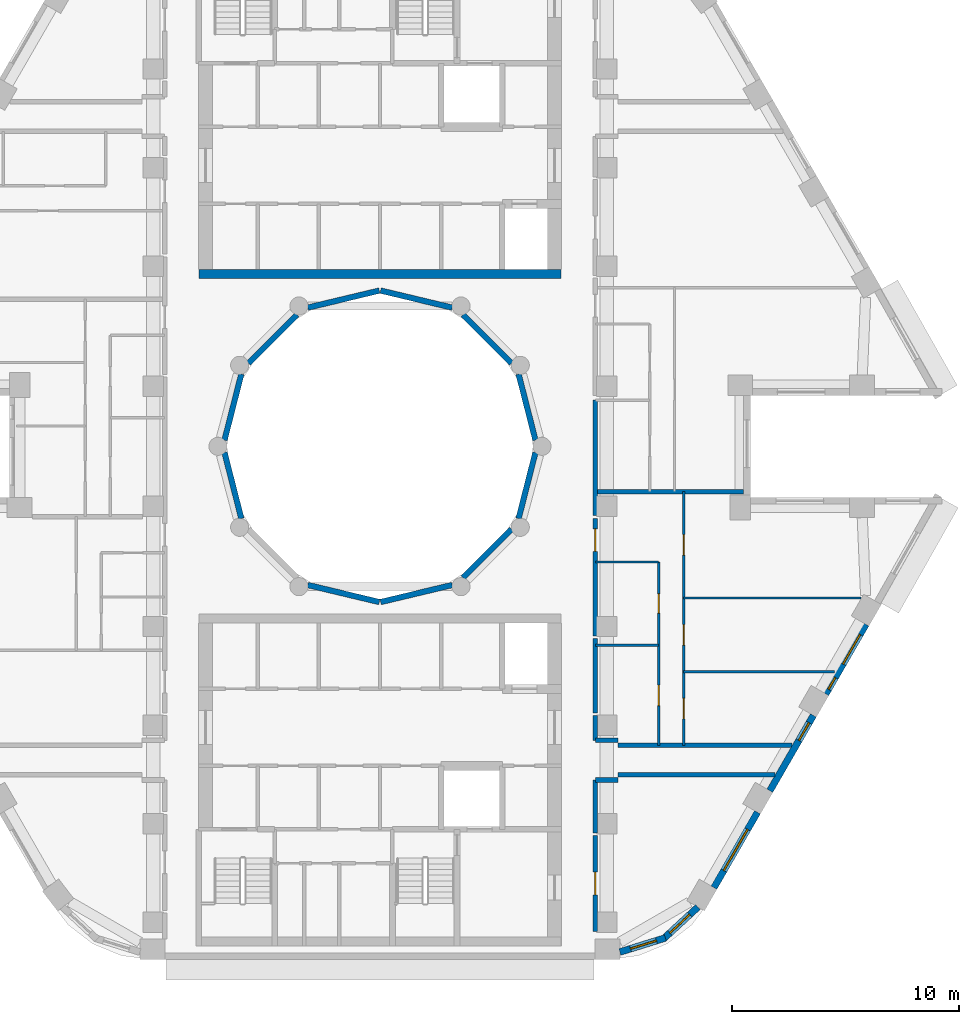
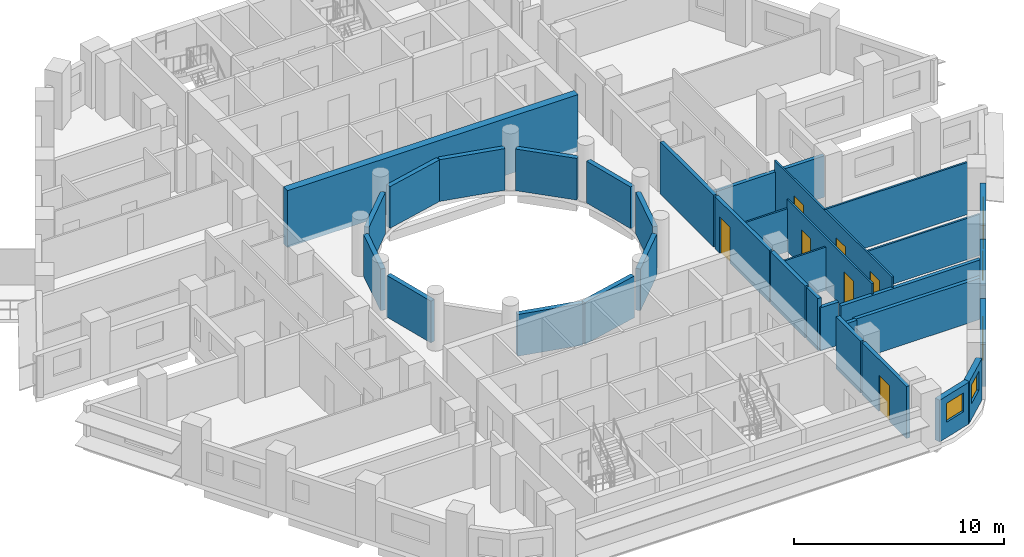
# One storey, part 5 of 13: 34 walls, 7 doors, 6 windows, 13 openings.
"""IFC4 building model written with IfcOpenShell, lengths in metres."""

from ifc_helpers import new_model, si_unit, direction, frame, frame_2d, origin, place, context, subcontext, project, spatial, rectangle, extrude, material, layer, layer_set, type_object, element, fill, save


model = new_model("IFC4")

# Units and contexts
model_context = context("Model", 3, precision=1e-05, world=origin(), true_north=direction((0.0, 1.0)))
body_context = subcontext(model_context, "Body", "Model", "MODEL_VIEW")
ifc_project = project(units=[si_unit("LENGTHUNIT", "METRE"), si_unit("AREAUNIT", "SQUARE_METRE"), si_unit("VOLUMEUNIT", "CUBIC_METRE"), si_unit("PLANEANGLEUNIT", "RADIAN"), si_unit("MASSUNIT", "GRAM", prefix="KILO")], contexts=[model_context])

# Site, building, storey
site_placement = place(None, origin())
site = spatial("IfcSite", under=ifc_project, at=site_placement, CompositionType="ELEMENT")
building_placement = place(site_placement, origin())
building = spatial("IfcBuilding", under=site, at=building_placement, Name="Nakaniwa Court", CompositionType="ELEMENT")
storey_placement = place(building_placement, frame((0.0, 0.0, 246.0)))
storey = spatial("IfcBuildingStorey", under=building, at=storey_placement, Name="L64", CompositionType="ELEMENT", Elevation=246.0)

# Wall, opening, door
ifc_material_1 = material(Name="Acoustic double stud partition")
ifc_layer_1 = layer(ifc_material_1, 0.199951171875)
ifc_layer_set_1 = layer_set([ifc_layer_1], Name="Acoustic double stud partition")
wall_type_1 = type_object("IfcWallType", Name="Acoustic double stud partition 200", PredefinedType="PARTITIONING", material=ifc_layer_set_1)
wall_1_placement = place(storey_placement, frame((89.5, 62.822998046875, 0.0), z_axis=(0.0, 0.0, 1.0), x_axis=(0.0, -1.0, 0.0)))
wall_1 = element("IfcWall", 1, at=wall_1_placement, inside=storey, type_object=wall_type_1, Name="Partition PW-061", PredefinedType="PARTITIONING", context=body_context, shape_type="SweptSolid", body=[
    extrude(rectangle(XDim=4.236083984375, YDim=0.199951171875, at=frame_2d((2.1181640625, 0.0))), origin(), (0.0, 0.0, 1.0), 3.02490234375),
])
opening_1_placement = place(wall_1_placement, frame((1.617919921875, 0.0, 0.0)))
opening_1 = element("IfcOpeningElement", 2, at=opening_1_placement, cuts=wall_1, Name="Opening D-02-01", PredefinedType="OPENING", context=body_context, shape_type="SweptSolid", body=[
    extrude(rectangle(XDim=1.0, YDim=2.10009765625, at=frame_2d((0.5, 1.050048828125))), frame((0.0, 0.10986328125, 0.0), z_axis=(0.0, -1.0, 0.0), x_axis=(1.0, 0.0, 0.0)), (0.0, 0.0, 1.0), 0.219970703125),
])
ifc_material_2 = material(Name="Solid core timber door set, black veneer", Category="wood")
door_type_1 = type_object("IfcDoorType", Name="Internal door 1000", OperationType="NOTDEFINED", PredefinedType="DOOR", material=ifc_material_2)
door_1_placement = place(opening_1_placement, origin())
door_1 = element("IfcDoor", 3, at=door_1_placement, inside=storey, type_object=door_type_1, Name="Door D-02-01 L64-033", OperationType="SINGLE_SWING_RIGHT", OverallHeight=2.10009765625, OverallWidth=1.0, PredefinedType="DOOR", context=body_context, shape_type="SweptSolid", body=[
    extrude(rectangle(XDim=1.0, YDim=2.10009765625, at=frame_2d((0.5, 1.050048828125))), frame((0.0, 0.02490234375, 0.0), z_axis=(0.0, -1.0, 0.0), x_axis=(1.0, 0.0, 0.0)), (0.0, 0.0, 1.0), 0.050048828125),
])
fill(opening_1, door_1)

# Walls
wall_2_placement = place(storey_placement, frame((89.5, 62.93701171875, 0.0), z_axis=(0.0, 0.0, 1.0), x_axis=(0.0, 1.0, 0.0)))
element("IfcWall", 4, at=wall_2_placement, inside=storey, type_object=wall_type_1, Name="Partition PW-062", PredefinedType="PARTITIONING", context=body_context, shape_type="SweptSolid", body=[
    extrude(rectangle(XDim=2.341064453125, YDim=0.199951171875, at=frame_2d((1.17041015625, 0.0))), origin(), (0.0, 0.0, 1.0), 3.02490234375),
])
wall_3_placement = place(storey_placement, frame((89.5, 67.02197265625, 0.0), z_axis=(0.0, 0.0, 1.0), x_axis=(0.0, 1.0, 0.0)))
element("IfcWall", 5, at=wall_3_placement, inside=storey, type_object=wall_type_1, Name="Partition PW-063", PredefinedType="PARTITIONING", context=body_context, shape_type="SweptSolid", body=[
    extrude(rectangle(XDim=1.091064453125, YDim=0.199951171875, at=frame_2d((0.54541015625, 0.0))), origin(), (0.0, 0.0, 1.0), 3.02490234375),
])
wall_4_placement = place(storey_placement, frame((89.5, 68.22705078125, 0.0), z_axis=(0.0, 0.0, 1.0), x_axis=(0.0, 1.0, 0.0)))
element("IfcWall", 6, at=wall_4_placement, inside=storey, type_object=wall_type_1, Name="Partition PW-064", PredefinedType="PARTITIONING", context=body_context, shape_type="SweptSolid", body=[
    extrude(rectangle(XDim=3.2958984375, YDim=0.199951171875, at=frame_2d((1.64794921875, 0.0))), origin(), (0.0, 0.0, 1.0), 3.02490234375),
])

# Wall, opening, door
wall_5_placement = place(storey_placement, frame((89.5, 76.822998046875, 0.0), z_axis=(0.0, 0.0, 1.0), x_axis=(0.0, -1.0, 0.0)))
wall_5 = element("IfcWall", 7, at=wall_5_placement, inside=storey, type_object=wall_type_1, Name="Partition PW-065", PredefinedType="PARTITIONING", context=body_context, shape_type="SweptSolid", body=[
    extrude(rectangle(XDim=5.18603515625, YDim=0.199951171875, at=frame_2d((2.593017578125, 0.0))), origin(), (0.0, 0.0, 1.0), 3.02490234375),
])
opening_2_placement = place(wall_5_placement, frame((0.462890625, 0.0, 0.0)))
opening_2 = element("IfcOpeningElement", 8, at=opening_2_placement, cuts=wall_5, Name="Opening D-01-01", PredefinedType="OPENING", context=body_context, shape_type="SweptSolid", body=[
    extrude(rectangle(XDim=1.0, YDim=2.10009765625, at=frame_2d((0.5, 1.050048828125))), frame((0.0, 0.10986328125, 0.0), z_axis=(0.0, -1.0, 0.0), x_axis=(1.0, 0.0, 0.0)), (0.0, 0.0, 1.0), 0.219970703125),
])
door_type_2 = type_object("IfcDoorType", Name="Flat entrance door 1000", OperationType="NOTDEFINED", PredefinedType="DOOR", material=ifc_material_2)
door_2_placement = place(opening_2_placement, origin())
door_2 = element("IfcDoor", 9, at=door_2_placement, inside=storey, type_object=door_type_2, Name="Door D-01-01 L64-034", OperationType="SINGLE_SWING_LEFT", OverallHeight=2.10009765625, OverallWidth=1.0, PredefinedType="DOOR", context=body_context, shape_type="SweptSolid", body=[
    extrude(rectangle(XDim=1.0, YDim=2.10009765625, at=frame_2d((0.5, 1.050048828125))), frame((0.0, 0.02490234375, 0.0), z_axis=(0.0, -1.0, 0.0), x_axis=(1.0, 0.0, 0.0)), (0.0, 0.0, 1.0), 0.050048828125),
])
fill(opening_2, door_2)

# Walls
wall_6_placement = place(storey_placement, frame((89.5, 76.93701171875, 0.0), z_axis=(0.0, 0.0, 1.0), x_axis=(0.0, 1.0, 0.0)))
element("IfcWall", 10, at=wall_6_placement, inside=storey, type_object=wall_type_1, Name="Partition PW-066", PredefinedType="PARTITIONING", context=body_context, shape_type="SweptSolid", body=[
    extrude(rectangle(XDim=5.102294921875, YDim=0.199951171875, at=frame_2d((2.55126953125, 0.0))), origin(), (0.0, 0.0, 1.0), 3.02490234375),
])
wall_7_placement = place(storey_placement, frame((90.5, 65.5, 0.0), z_axis=(0.0, 0.0, 1.0), x_axis=(1.0, 0.0, 0.0)))
element("IfcWall", 11, at=wall_7_placement, inside=storey, type_object=wall_type_1, Name="Partition PW-082", PredefinedType="PARTITIONING", context=body_context, shape_type="SweptSolid", body=[
    extrude(rectangle(XDim=6.93603515625, YDim=0.199951171875, at=frame_2d((3.468017578125, 0.0))), origin(), (0.0, 0.0, 1.0), 2.405029296875),
])
for number, where, z_axis, x_axis, name in (
    (12, (89.5, 65.27490234375, 0.0), (0.0, 0.0, 1.0), (1.0, 0.0, 0.0), "Partition PW-084"),
    (13, (89.5, 67.02490234375, 0.0), (0.0, 0.0, 1.0), (1.0, 0.0, 0.0), "Partition PW-086"),
):
    element("IfcWall", number, at=place(storey_placement, frame(where, z_axis=z_axis, x_axis=x_axis)), inside=storey, type_object=wall_type_1, Name=name, PredefinedType="PARTITIONING", context=body_context, shape_type="SweptSolid", body=[
        extrude(rectangle(XDim=1.0, YDim=0.199951171875, at=frame_2d((0.5, 0.0))), origin(), (0.0, 0.0, 1.0), 2.5048828125),
    ])
wall_8_placement = place(storey_placement, frame((90.5, 66.800048828125, 0.0), z_axis=(0.0, 0.0, 1.0), x_axis=(1.0, 0.0, 0.0)))
element("IfcWall", 14, at=wall_8_placement, inside=storey, type_object=wall_type_1, Name="Partition PW-088", PredefinedType="PARTITIONING", context=body_context, shape_type="SweptSolid", body=[
    extrude(rectangle(XDim=7.6865234375, YDim=0.199951171875, at=frame_2d((3.84326171875, 0.0))), origin(), (0.0, 0.0, 1.0), 2.405029296875),
])
wall_9_placement = place(storey_placement, frame((89.5, 78.0, 0.0), z_axis=(0.0, 0.0, 1.0), x_axis=(1.0, 0.0, 0.0)))
element("IfcWall", 15, at=wall_9_placement, inside=storey, type_object=wall_type_1, Name="Partition PW-105", PredefinedType="PARTITIONING", context=body_context, shape_type="SweptSolid", body=[
    extrude(rectangle(XDim=6.549560546875, YDim=0.199951171875, at=frame_2d((3.27490234375, 0.0))), origin(), (0.0, 0.0, 1.0), 2.405029296875),
])

# Wall, opening, window
ifc_material_3 = material(Name="Charcoal ceramic cladding")
ifc_layer_2 = layer(ifc_material_3, 0.02, Name="Ceramic cladding")
ifc_material_4 = material(Name="Ventilated air cavity")
ifc_layer_3 = layer(ifc_material_4, 0.04, ventilated=True, Name="Ventilated cavity")
ifc_material_5 = material(Name="Mineral wool insulation")
ifc_layer_4 = layer(ifc_material_5, 0.1, Name="Insulation")
ifc_material_6 = material(Name="Cement bonded sheathing board")
ifc_layer_5 = layer(ifc_material_6, 0.012, Name="Sheathing")
ifc_material_7 = material(Name="Cold-formed galvanised stud frame with mineral wool infill")
ifc_layer_6 = layer(ifc_material_7, 0.1, Name="Stud frame")
ifc_material_8 = material(Name="Fire-rated gypsum plasterboard lining")
ifc_layer_7 = layer(ifc_material_8, 0.028, Name="Lining")
ifc_layer_set_2 = layer_set([ifc_layer_2, ifc_layer_3, ifc_layer_4, ifc_layer_5, ifc_layer_6, ifc_layer_7], Name="Charcoal ceramic faced external wall system")
wall_type_2 = type_object("IfcWallType", Name="Black ceramic faced external wall 300", PredefinedType="SOLIDWALL", material=ifc_layer_set_2)
wall_10_placement = place(storey_placement, frame((90.585693359375, 57.68408203125, 0.0), z_axis=(0.0, 0.0, 1.0), x_axis=(0.954941641926, 0.296793632875, 0.0)))
wall_10 = element("IfcWall", 16, at=wall_10_placement, inside=storey, type_object=wall_type_2, Name="L64 external wall 27", PredefinedType="SOLIDWALL", context=body_context, shape_type="SweptSolid", body=[
    extrude(rectangle(XDim=2.1025390625, YDim=0.300048828125, at=frame_2d((1.05126953125, 0.0))), origin(), (0.0, 0.0, 1.0), 2.425048828125),
])
opening_3_placement = place(wall_10_placement, frame((0.490234375, 0.0, 0.89990234375)))
opening_3 = element("IfcOpeningElement", 17, at=opening_3_placement, cuts=wall_10, Name="Opening W6.26", PredefinedType="OPENING", context=body_context, shape_type="SweptSolid", body=[
    extrude(rectangle(XDim=1.199951171875, YDim=1.10009765625, at=frame_2d((0.60009765625, 0.550048828125))), frame((0.0, 0.159912109375, 0.0), z_axis=(0.0, -1.0, 0.0), x_axis=(1.0, 0.0, 0.0)), (0.0, 0.0, 1.0), 0.320068359375),
])
ifc_material_9 = material(Name="Black anodised aluminium frame with dark low-E laminated double glazing", Category="aluminium")
window_type_1 = type_object("IfcWindowType", Name="Dark glass window 1200x1100 sill 900", PartitioningType="SINGLE_PANEL", PredefinedType="WINDOW", material=ifc_material_9)
window_1_placement = place(opening_3_placement, origin())
window_1 = element("IfcWindow", 18, at=window_1_placement, inside=storey, type_object=window_type_1, Name="L64 habitable room window 27-0", OverallHeight=1.10009765625, OverallWidth=1.199951171875, PartitioningType="SINGLE_PANEL", PredefinedType="WINDOW", context=body_context, shape_type="SweptSolid", body=[
    extrude(rectangle(XDim=1.199951171875, YDim=1.10009765625, at=frame_2d((0.60009765625, 0.550048828125))), frame((0.0, 0.030029296875, 0.0), z_axis=(0.0, -1.0, 0.0), x_axis=(1.0, 0.0, 0.0)), (0.0, 0.0, 1.0), 0.06005859375),
])
fill(opening_3, window_1)

wall_11_placement = place(storey_placement, frame((92.489501953125, 58.247314453125, 0.0), z_axis=(0.0, 0.0, 1.0), x_axis=(0.734830223907, 0.678251090698, 0.0)))
wall_11 = element("IfcWall", 19, at=wall_11_placement, inside=storey, type_object=wall_type_2, Name="L64 external wall 28", PredefinedType="SOLIDWALL", context=body_context, shape_type="SweptSolid", body=[
    extrude(rectangle(XDim=2.09716796875, YDim=0.300048828125, at=frame_2d((1.048583984375, 0.0))), origin(), (0.0, 0.0, 1.0), 2.425048828125),
])
opening_4_placement = place(wall_11_placement, frame((0.409423828125, 0.0, 0.89990234375)))
opening_4 = element("IfcOpeningElement", 20, at=opening_4_placement, cuts=wall_11, Name="Opening W6.27", PredefinedType="OPENING", context=body_context, shape_type="SweptSolid", body=[
    extrude(rectangle(XDim=1.199951171875, YDim=1.10009765625, at=frame_2d((0.60009765625, 0.550048828125))), frame((0.0, 0.159912109375, 0.0), z_axis=(0.0, -1.0, 0.0), x_axis=(1.0, 0.0, 0.0)), (0.0, 0.0, 1.0), 0.320068359375),
])
window_2_placement = place(opening_4_placement, origin())
window_2 = element("IfcWindow", 21, at=window_2_placement, inside=storey, type_object=window_type_1, Name="L64 habitable room window 28-0", OverallHeight=1.10009765625, OverallWidth=1.199951171875, PartitioningType="SINGLE_PANEL", PredefinedType="WINDOW", context=body_context, shape_type="SweptSolid", body=[
    extrude(rectangle(XDim=1.199951171875, YDim=1.10009765625, at=frame_2d((0.60009765625, 0.550048828125))), frame((0.0, 0.030029296875, 0.0), z_axis=(0.0, -1.0, 0.0), x_axis=(1.0, 0.0, 0.0)), (0.0, 0.0, 1.0), 0.06005859375),
])
fill(opening_4, window_2)

wall_12_placement = place(storey_placement, frame((94.73583984375, 60.523193359375, 0.0), z_axis=(0.0, 0.0, 1.0), x_axis=(0.499984490703, 0.866034357896, 0.0)))
wall_12 = element("IfcWall", 22, at=wall_12_placement, inside=storey, type_object=wall_type_2, Name="L64 external wall 29", PredefinedType="SOLIDWALL", context=body_context, shape_type="SweptSolid", body=[
    extrude(rectangle(XDim=3.84423828125, YDim=0.300048828125, at=frame_2d((1.922119140625, 0.0))), origin(), (0.0, 0.0, 1.0), 2.425048828125),
])
opening_5_placement = place(wall_12_placement, frame((0.8720703125, 0.0, 0.89990234375)))
opening_5 = element("IfcOpeningElement", 23, at=opening_5_placement, cuts=wall_12, Name="Opening W7.28", PredefinedType="OPENING", context=body_context, shape_type="SweptSolid", body=[
    extrude(rectangle(XDim=2.10009765625, YDim=1.10009765625, at=frame_2d((1.050048828125, 0.550048828125))), frame((0.0, 0.159912109375, 0.0), z_axis=(0.0, -1.0, 0.0), x_axis=(1.0, 0.0, 0.0)), (0.0, 0.0, 1.0), 0.320068359375),
])
window_type_2 = type_object("IfcWindowType", Name="Dark glass window 2100x1100 sill 900", PartitioningType="SINGLE_PANEL", PredefinedType="WINDOW", material=ifc_material_9)
window_3_placement = place(opening_5_placement, origin())
window_3 = element("IfcWindow", 24, at=window_3_placement, inside=storey, type_object=window_type_2, Name="L64 habitable room window 29-0", OverallHeight=1.10009765625, OverallWidth=2.10009765625, PartitioningType="SINGLE_PANEL", PredefinedType="WINDOW", context=body_context, shape_type="SweptSolid", body=[
    extrude(rectangle(XDim=2.10009765625, YDim=1.10009765625, at=frame_2d((1.050048828125, 0.550048828125))), frame((0.0, 0.030029296875, 0.0), z_axis=(0.0, -1.0, 0.0), x_axis=(1.0, 0.0, 0.0)), (0.0, 0.0, 1.0), 0.06005859375),
])
fill(opening_5, window_3)

wall_13_placement = place(storey_placement, frame((97.2041015625, 64.798095703125, 0.0), z_axis=(0.0, 0.0, 1.0), x_axis=(0.499984490703, 0.866034357896, 0.0)))
wall_13 = element("IfcWall", 25, at=wall_13_placement, inside=storey, type_object=wall_type_2, Name="L64 external wall 30", PredefinedType="SOLIDWALL", context=body_context, shape_type="SweptSolid", body=[
    extrude(rectangle(XDim=3.84423828125, YDim=0.300048828125, at=frame_2d((1.922119140625, 0.0))), origin(), (0.0, 0.0, 1.0), 2.425048828125),
])
opening_6_placement = place(wall_13_placement, frame((2.56689453125, 0.0, 0.89990234375)))
opening_6 = element("IfcOpeningElement", 26, at=opening_6_placement, cuts=wall_13, Name="Opening W9.29", PredefinedType="OPENING", context=body_context, shape_type="SweptSolid", body=[
    extrude(rectangle(XDim=0.89990234375, YDim=1.10009765625, at=frame_2d((0.449951171875, 0.550048828125))), frame((0.0, 0.159912109375, 0.0), z_axis=(0.0, -1.0, 0.0), x_axis=(1.0, 0.0, 0.0)), (0.0, 0.0, 1.0), 0.320068359375),
])
window_type_3 = type_object("IfcWindowType", Name="Dark glass window 900x1100 sill 900", PartitioningType="SINGLE_PANEL", PredefinedType="WINDOW", material=ifc_material_9)
window_4_placement = place(opening_6_placement, origin())
window_4 = element("IfcWindow", 27, at=window_4_placement, inside=storey, type_object=window_type_3, Name="L64 bedroom window 30-2", OverallHeight=1.10009765625, OverallWidth=0.89990234375, PartitioningType="SINGLE_PANEL", PredefinedType="WINDOW", context=body_context, shape_type="SweptSolid", body=[
    extrude(rectangle(XDim=0.89990234375, YDim=1.10009765625, at=frame_2d((0.449951171875, 0.550048828125))), frame((0.0, 0.030029296875, 0.0), z_axis=(0.0, -1.0, 0.0), x_axis=(1.0, 0.0, 0.0)), (0.0, 0.0, 1.0), 0.06005859375),
])
fill(opening_6, window_4)

# Wall, openings, windows
wall_14_placement = place(storey_placement, frame((99.672119140625, 69.072998046875, 0.0), z_axis=(0.0, 0.0, 1.0), x_axis=(0.500010404316, 0.866019396766, 0.0)))
wall_14 = element("IfcWall", 28, at=wall_14_placement, inside=storey, type_object=wall_type_2, Name="L64 external wall 31", PredefinedType="SOLIDWALL", context=body_context, shape_type="SweptSolid", body=[
    extrude(rectangle(XDim=3.54736328125, YDim=0.300048828125, at=frame_2d((1.773681640625, 0.0))), origin(), (0.0, 0.0, 1.0), 2.425048828125),
])
opening_7_placement = place(wall_14_placement, frame((0.240966796875, 0.0, 0.89990234375)))
opening_7 = element("IfcOpeningElement", 29, at=opening_7_placement, cuts=wall_14, Name="Opening W8.30", PredefinedType="OPENING", context=body_context, shape_type="SweptSolid", body=[
    extrude(rectangle(XDim=0.60009765625, YDim=1.10009765625, at=frame_2d((0.300048828125, 0.550048828125))), frame((0.0, 0.159912109375, 0.0), z_axis=(0.0, -1.0, 0.0), x_axis=(1.0, 0.0, 0.0)), (0.0, 0.0, 1.0), 0.320068359375),
])
opening_8_placement = place(wall_14_placement, frame((1.52734375, 0.0, 0.89990234375)))
opening_8 = element("IfcOpeningElement", 30, at=opening_8_placement, cuts=wall_14, Name="Opening W5.31", PredefinedType="OPENING", context=body_context, shape_type="SweptSolid", body=[
    extrude(rectangle(XDim=1.5, YDim=1.10009765625, at=frame_2d((0.75, 0.550048828125))), frame((0.0, 0.159912109375, 0.0), z_axis=(0.0, -1.0, 0.0), x_axis=(1.0, 0.0, 0.0)), (0.0, 0.0, 1.0), 0.320068359375),
])
window_type_4 = type_object("IfcWindowType", Name="Dark glass window 1500x1100 sill 900", PartitioningType="SINGLE_PANEL", PredefinedType="WINDOW", material=ifc_material_9)
window_5_placement = place(opening_8_placement, origin())
window_5 = element("IfcWindow", 31, at=window_5_placement, inside=storey, type_object=window_type_4, Name="L64 bedroom window 31-1", OverallHeight=1.10009765625, OverallWidth=1.5, PartitioningType="SINGLE_PANEL", PredefinedType="WINDOW", context=body_context, shape_type="SweptSolid", body=[
    extrude(rectangle(XDim=1.5, YDim=1.10009765625, at=frame_2d((0.75, 0.550048828125))), frame((0.0, 0.030029296875, 0.0), z_axis=(0.0, -1.0, 0.0), x_axis=(1.0, 0.0, 0.0)), (0.0, 0.0, 1.0), 0.06005859375),
])
fill(opening_8, window_5)
window_type_5 = type_object("IfcWindowType", Name="Dark glass window 600x1100 sill 900", PartitioningType="SINGLE_PANEL", PredefinedType="WINDOW", material=ifc_material_9)
window_6_placement = place(opening_7_placement, origin())
window_6 = element("IfcWindow", 32, at=window_6_placement, inside=storey, type_object=window_type_5, Name="L64 bedroom window 31-0", OverallHeight=1.10009765625, OverallWidth=0.60009765625, PartitioningType="SINGLE_PANEL", PredefinedType="WINDOW", context=body_context, shape_type="SweptSolid", body=[
    extrude(rectangle(XDim=0.60009765625, YDim=1.10009765625, at=frame_2d((0.300048828125, 0.550048828125))), frame((0.0, 0.030029296875, 0.0), z_axis=(0.0, -1.0, 0.0), x_axis=(1.0, 0.0, 0.0)), (0.0, 0.0, 1.0), 0.06005859375),
])
fill(opening_7, window_6)

# Walls
ifc_layer_8 = layer(ifc_material_3, 0.02, Name="Ceramic cladding")
ifc_layer_9 = layer(ifc_material_4, 0.04, ventilated=True, Name="Ventilated cavity")
ifc_layer_10 = layer(ifc_material_5, 0.075, Name="Insulation")
ifc_layer_11 = layer(ifc_material_6, 0.012, Name="Sheathing")
ifc_layer_12 = layer(ifc_material_7, 0.075, Name="Stud frame")
ifc_layer_13 = layer(ifc_material_8, 0.028, Name="Lining")
ifc_layer_set_3 = layer_set([ifc_layer_8, ifc_layer_9, ifc_layer_10, ifc_layer_11, ifc_layer_12, ifc_layer_13], Name="Charcoal ceramic faced external wall system")
wall_type_3 = type_object("IfcWallType", Name="Charcoal ceramic faced well wall 250", PredefinedType="SOLIDWALL", material=ifc_layer_set_3)
wall_15_placement = place(storey_placement, frame((86.8603515625, 79.72998046875, 0.0), z_axis=(0.0, 0.0, 1.0), x_axis=(-0.247055971283, -0.969001211069, 0.0)))
element("IfcWall", 33, at=wall_15_placement, inside=storey, type_object=wall_type_3, Name="L64 external wall 36", PredefinedType="SOLIDWALL", context=body_context, shape_type="SweptSolid", body=[
    extrude(rectangle(XDim=3.010009765625, YDim=0.25, at=frame_2d((1.5048828125, 0.0))), origin(), (0.0, 0.0, 1.0), 2.425048828125),
])
wall_16_placement = place(storey_placement, frame((85.8056640625, 76.339111328125, 0.0), z_axis=(0.0, 0.0, 1.0), x_axis=(-0.707106781187, -0.707106781187, 0.0)))
element("IfcWall", 34, at=wall_16_placement, inside=storey, type_object=wall_type_3, Name="L64 external wall 37", PredefinedType="SOLIDWALL", context=body_context, shape_type="SweptSolid", body=[
    extrude(rectangle(XDim=3.033203125, YDim=0.25, at=frame_2d((1.5166015625, 0.0))), origin(), (0.0, 0.0, 1.0), 2.425048828125),
])
for number, where, z_axis, x_axis, name in (
    (35, (83.186279296875, 73.880615234375, 0.0), (0.0, 0.0, 1.0), (-0.972773113459, -0.231759508395, 0.0), "L64 external wall 38"),
    (36, (79.970947265625, 73.12841796875, 0.0), (0.0, 0.0, 1.0), (-0.972773113459, 0.231759508395, 0.0), "L64 external wall 39"),
):
    element("IfcWall", number, at=place(storey_placement, frame(where, z_axis=z_axis, x_axis=x_axis)), inside=storey, type_object=wall_type_3, Name=name, PredefinedType="SOLIDWALL", context=body_context, shape_type="SweptSolid", body=[
        extrude(rectangle(XDim=3.24560546875, YDim=0.25, at=frame_2d((1.622802734375, 0.0))), origin(), (0.0, 0.0, 1.0), 2.425048828125),
    ])
for number, where, z_axis, x_axis, name in (
    (37, (73.88330078125, 76.813232421875, 0.0), (0.0, 0.0, 1.0), (-0.247055971283, 0.969001211069, 0.0), "L64 external wall 41"),
    (38, (73.1396484375, 80.27001953125, 0.0), (0.0, 0.0, 1.0), (0.247055971283, 0.969001211069, 0.0), "L64 external wall 42"),
):
    element("IfcWall", number, at=place(storey_placement, frame(where, z_axis=z_axis, x_axis=x_axis)), inside=storey, type_object=wall_type_3, Name=name, PredefinedType="SOLIDWALL", context=body_context, shape_type="SweptSolid", body=[
        extrude(rectangle(XDim=3.010009765625, YDim=0.25, at=frame_2d((1.5048828125, 0.0))), origin(), (0.0, 0.0, 1.0), 2.425048828125),
    ])
wall_17_placement = place(storey_placement, frame((74.1943359375, 83.660888671875, 0.0), z_axis=(0.0, 0.0, 1.0), x_axis=(0.707106781187, 0.707106781187, 0.0)))
element("IfcWall", 39, at=wall_17_placement, inside=storey, type_object=wall_type_3, Name="L64 external wall 43", PredefinedType="SOLIDWALL", context=body_context, shape_type="SweptSolid", body=[
    extrude(rectangle(XDim=3.033203125, YDim=0.25, at=frame_2d((1.5166015625, 0.0))), origin(), (0.0, 0.0, 1.0), 2.425048828125),
])
for number, where, z_axis, x_axis, name in (
    (40, (76.813720703125, 86.119384765625, 0.0), (0.0, 0.0, 1.0), (0.972773113459, 0.231759508395, 0.0), "L64 external wall 44"),
    (41, (80.029052734375, 86.87158203125, 0.0), (0.0, 0.0, 1.0), (0.972773113459, -0.231759508395, 0.0), "L64 external wall 45"),
):
    element("IfcWall", number, at=place(storey_placement, frame(where, z_axis=z_axis, x_axis=x_axis)), inside=storey, type_object=wall_type_3, Name=name, PredefinedType="SOLIDWALL", context=body_context, shape_type="SweptSolid", body=[
        extrude(rectangle(XDim=3.24560546875, YDim=0.25, at=frame_2d((1.622802734375, 0.0))), origin(), (0.0, 0.0, 1.0), 2.425048828125),
    ])
wall_18_placement = place(storey_placement, frame((83.660888671875, 85.8056640625, 0.0), z_axis=(0.0, 0.0, 1.0), x_axis=(0.707106781187, -0.707106781187, 0.0)))
element("IfcWall", 42, at=wall_18_placement, inside=storey, type_object=wall_type_3, Name="L64 external wall 46", PredefinedType="SOLIDWALL", context=body_context, shape_type="SweptSolid", body=[
    extrude(rectangle(XDim=3.033203125, YDim=0.25, at=frame_2d((1.5166015625, 0.0))), origin(), (0.0, 0.0, 1.0), 2.425048828125),
])
wall_19_placement = place(storey_placement, frame((86.11669921875, 83.186767578125, 0.0), z_axis=(0.0, 0.0, 1.0), x_axis=(0.247055971283, -0.969001211069, 0.0)))
element("IfcWall", 43, at=wall_19_placement, inside=storey, type_object=wall_type_3, Name="L64 external wall 47", PredefinedType="SOLIDWALL", context=body_context, shape_type="SweptSolid", body=[
    extrude(rectangle(XDim=3.010009765625, YDim=0.25, at=frame_2d((1.5048828125, 0.0))), origin(), (0.0, 0.0, 1.0), 2.425048828125),
])
ifc_material_10 = material(Name="Concrete C80/100", Category="concrete")
ifc_layer_14 = layer(ifc_material_10, 0.39990234375)
ifc_layer_set_4 = layer_set([ifc_layer_14], Name="Concrete C80/100")
wall_type_4 = type_object("IfcWallType", Name="Concrete core well wall 400 C80", PredefinedType="SHEAR", material=ifc_layer_set_4)
wall_20_placement = place(storey_placement, frame((72.00390625, 87.60009765625, -0.27490234375), z_axis=(0.0, 0.0, 1.0), x_axis=(1.0, 0.0, 0.0)))
element("IfcWall", 44, at=wall_20_placement, inside=storey, type_object=wall_type_4, Name="Core wall SW-130", PredefinedType="SHEAR", context=body_context, shape_type="SweptSolid", body=[
    extrude(rectangle(XDim=15.9921875, YDim=0.39990234375, at=frame_2d((7.99609375, 0.0))), origin(), (0.0, 0.0, 1.0), 3.2998046875),
])
ifc_material_11 = material(Name="Single stud plasterboard partition")
ifc_layer_15 = layer(ifc_material_11, 0.10009765625)
ifc_layer_set_5 = layer_set([ifc_layer_15], Name="Single stud plasterboard partition")
wall_type_5 = type_object("IfcWallType", Name="Single stud plasterboard partition 100", PredefinedType="PARTITIONING", material=ifc_layer_set_5)
wall_21_placement = place(storey_placement, frame((89.5, 71.218017578125, 0.0), z_axis=(0.0, 0.0, 1.0), x_axis=(1.0, 0.0, 0.0)))
element("IfcWall", 45, at=wall_21_placement, inside=storey, type_object=wall_type_5, Name="Partition PW-101", PredefinedType="PARTITIONING", context=body_context, shape_type="SweptSolid", body=[
    extrude(rectangle(XDim=2.800048828125, YDim=0.10009765625, at=frame_2d((1.39990234375, 0.0))), origin(), (0.0, 0.0, 1.0), 2.5048828125),
])

# Wall, openings, doors
wall_22_placement = place(storey_placement, frame((92.300048828125, 66.800048828125, 0.0), z_axis=(0.0, 0.0, 1.0), x_axis=(0.0, 1.0, 0.0)))
wall_22 = element("IfcWall", 46, at=wall_22_placement, inside=storey, type_object=wall_type_5, Name="Partition PW-102", PredefinedType="PARTITIONING", context=body_context, shape_type="SweptSolid", body=[
    extrude(rectangle(XDim=8.099853515625, YDim=0.10009765625, at=frame_2d((4.0498046875, 0.0))), origin(), (0.0, 0.0, 1.0), 3.02490234375),
])
opening_9_placement = place(wall_22_placement, frame((1.759033203125, 0.0, 0.0)))
opening_9 = element("IfcOpeningElement", 47, at=opening_9_placement, cuts=wall_22, Name="Opening D-33-01", PredefinedType="OPENING", context=body_context, shape_type="SweptSolid", body=[
    extrude(rectangle(XDim=0.89990234375, YDim=2.10009765625, at=frame_2d((0.449951171875, 1.050048828125))), frame((0.0, 0.06005859375, 0.0), z_axis=(0.0, -1.0, 0.0), x_axis=(1.0, 0.0, 0.0)), (0.0, 0.0, 1.0), 0.1201171875),
])
opening_10_placement = place(wall_22_placement, frame((5.833984375, 0.0, 0.0)))
opening_10 = element("IfcOpeningElement", 48, at=opening_10_placement, cuts=wall_22, Name="Opening D-03-01", PredefinedType="OPENING", context=body_context, shape_type="SweptSolid", body=[
    extrude(rectangle(XDim=0.85009765625, YDim=2.10009765625, at=frame_2d((0.425048828125, 1.050048828125))), frame((0.0, 0.06005859375, 0.0), z_axis=(0.0, -1.0, 0.0), x_axis=(1.0, 0.0, 0.0)), (0.0, 0.0, 1.0), 0.1201171875),
])
ifc_material_12 = material(Name="Moisture sealed timber door set", Category="wood")
door_type_3 = type_object("IfcDoorType", Name="Bathroom door 850", OperationType="NOTDEFINED", PredefinedType="DOOR", material=ifc_material_12)
door_3_placement = place(opening_10_placement, origin())
door_3 = element("IfcDoor", 49, at=door_3_placement, inside=storey, type_object=door_type_3, Name="Door D-03-01 L64-036", OperationType="SINGLE_SWING_LEFT", OverallHeight=2.10009765625, OverallWidth=0.85009765625, PredefinedType="DOOR", context=body_context, shape_type="SweptSolid", body=[
    extrude(rectangle(XDim=0.85009765625, YDim=2.10009765625, at=frame_2d((0.425048828125, 1.050048828125))), frame((0.0, 0.02490234375, 0.0), z_axis=(0.0, -1.0, 0.0), x_axis=(1.0, 0.0, 0.0)), (0.0, 0.0, 1.0), 0.050048828125),
])
fill(opening_10, door_3)
door_type_4 = type_object("IfcDoorType", Name="Internal door 900", OperationType="NOTDEFINED", PredefinedType="DOOR", material=ifc_material_2)
door_4_placement = place(opening_9_placement, origin())
door_4 = element("IfcDoor", 50, at=door_4_placement, inside=storey, type_object=door_type_4, Name="Door D-33-01 L64-035", OperationType="SINGLE_SWING_RIGHT", OverallHeight=2.10009765625, OverallWidth=0.89990234375, PredefinedType="DOOR", context=body_context, shape_type="SweptSolid", body=[
    extrude(rectangle(XDim=0.89990234375, YDim=2.10009765625, at=frame_2d((0.449951171875, 1.050048828125))), frame((0.0, 0.02490234375, 0.0), z_axis=(0.0, -1.0, 0.0), x_axis=(1.0, 0.0, 0.0)), (0.0, 0.0, 1.0), 0.050048828125),
])
fill(opening_9, door_4)

# Wall
wall_23_placement = place(storey_placement, frame((89.5, 74.89990234375, 0.0), z_axis=(0.0, 0.0, 1.0), x_axis=(1.0, 0.0, 0.0)))
element("IfcWall", 51, at=wall_23_placement, inside=storey, type_object=wall_type_5, Name="Partition PW-103", PredefinedType="PARTITIONING", context=body_context, shape_type="SweptSolid", body=[
    extrude(rectangle(XDim=2.800048828125, YDim=0.10009765625, at=frame_2d((1.39990234375, 0.0))), origin(), (0.0, 0.0, 1.0), 2.5048828125),
])

# Wall, openings, doors
wall_24_placement = place(storey_placement, frame((93.39990234375, 78.0, 0.0), z_axis=(0.0, 0.0, 1.0), x_axis=(0.0, -1.0, 0.0)))
wall_24 = element("IfcWall", 52, at=wall_24_placement, inside=storey, type_object=wall_type_5, Name="Partition PW-104", PredefinedType="PARTITIONING", context=body_context, shape_type="SweptSolid", body=[
    extrude(rectangle(XDim=11.199951171875, YDim=0.10009765625, at=frame_2d((5.60009765625, 0.0))), origin(), (0.0, 0.0, 1.0), 3.02490234375),
])
opening_11_placement = place(wall_24_placement, frame((9.1240234375, 0.0, 0.0)))
opening_11 = element("IfcOpeningElement", 53, at=opening_11_placement, cuts=wall_24, Name="Opening D-33-02", PredefinedType="OPENING", context=body_context, shape_type="SweptSolid", body=[
    extrude(rectangle(XDim=0.89990234375, YDim=2.10009765625, at=frame_2d((0.449951171875, 1.050048828125))), frame((0.0, 0.06005859375, 0.0), z_axis=(0.0, -1.0, 0.0), x_axis=(1.0, 0.0, 0.0)), (0.0, 0.0, 1.0), 0.1201171875),
])
opening_12_placement = place(wall_24_placement, frame((5.873046875, 0.0, 0.0)))
opening_12 = element("IfcOpeningElement", 54, at=opening_12_placement, cuts=wall_24, Name="Opening D-33-03", PredefinedType="OPENING", context=body_context, shape_type="SweptSolid", body=[
    extrude(rectangle(XDim=0.89990234375, YDim=2.10009765625, at=frame_2d((0.449951171875, 1.050048828125))), frame((0.0, 0.06005859375, 0.0), z_axis=(0.0, -1.0, 0.0), x_axis=(1.0, 0.0, 0.0)), (0.0, 0.0, 1.0), 0.1201171875),
])
opening_13_placement = place(wall_24_placement, frame((1.89794921875, 0.0, 0.0)))
opening_13 = element("IfcOpeningElement", 55, at=opening_13_placement, cuts=wall_24, Name="Opening D-33-04", PredefinedType="OPENING", context=body_context, shape_type="SweptSolid", body=[
    extrude(rectangle(XDim=0.89990234375, YDim=2.10009765625, at=frame_2d((0.449951171875, 1.050048828125))), frame((0.0, 0.06005859375, 0.0), z_axis=(0.0, -1.0, 0.0), x_axis=(1.0, 0.0, 0.0)), (0.0, 0.0, 1.0), 0.1201171875),
])
door_5_placement = place(opening_11_placement, origin())
door_5 = element("IfcDoor", 56, at=door_5_placement, inside=storey, type_object=door_type_4, Name="Door D-33-02 L64-037", OperationType="SINGLE_SWING_RIGHT", OverallHeight=2.10009765625, OverallWidth=0.89990234375, PredefinedType="DOOR", context=body_context, shape_type="SweptSolid", body=[
    extrude(rectangle(XDim=0.89990234375, YDim=2.10009765625, at=frame_2d((0.449951171875, 1.050048828125))), frame((0.0, 0.02490234375, 0.0), z_axis=(0.0, -1.0, 0.0), x_axis=(1.0, 0.0, 0.0)), (0.0, 0.0, 1.0), 0.050048828125),
])
fill(opening_11, door_5)
door_6_placement = place(opening_12_placement, origin())
door_6 = element("IfcDoor", 57, at=door_6_placement, inside=storey, type_object=door_type_4, Name="Door D-33-03 L64-038", OperationType="SINGLE_SWING_LEFT", OverallHeight=2.10009765625, OverallWidth=0.89990234375, PredefinedType="DOOR", context=body_context, shape_type="SweptSolid", body=[
    extrude(rectangle(XDim=0.89990234375, YDim=2.10009765625, at=frame_2d((0.449951171875, 1.050048828125))), frame((0.0, 0.02490234375, 0.0), z_axis=(0.0, -1.0, 0.0), x_axis=(1.0, 0.0, 0.0)), (0.0, 0.0, 1.0), 0.050048828125),
])
fill(opening_12, door_6)
door_7_placement = place(opening_13_placement, origin())
door_7 = element("IfcDoor", 58, at=door_7_placement, inside=storey, type_object=door_type_4, Name="Door D-33-04 L64-039", OperationType="SINGLE_SWING_RIGHT", OverallHeight=2.10009765625, OverallWidth=0.89990234375, PredefinedType="DOOR", context=body_context, shape_type="SweptSolid", body=[
    extrude(rectangle(XDim=0.89990234375, YDim=2.10009765625, at=frame_2d((0.449951171875, 1.050048828125))), frame((0.0, 0.02490234375, 0.0), z_axis=(0.0, -1.0, 0.0), x_axis=(1.0, 0.0, 0.0)), (0.0, 0.0, 1.0), 0.050048828125),
])
fill(opening_13, door_7)

# Walls
wall_25_placement = place(storey_placement, frame((93.39990234375, 70.052001953125, 0.0), z_axis=(0.0, 0.0, 1.0), x_axis=(1.0, 0.0, 0.0)))
element("IfcWall", 59, at=wall_25_placement, inside=storey, type_object=wall_type_5, Name="Partition PW-106", PredefinedType="PARTITIONING", context=body_context, shape_type="SweptSolid", body=[
    extrude(rectangle(XDim=6.6640625, YDim=0.10009765625, at=frame_2d((3.33203125, 0.0))), origin(), (0.0, 0.0, 1.0), 2.405029296875),
])
wall_26_placement = place(storey_placement, frame((93.39990234375, 73.302978515625, 0.0), z_axis=(0.0, 0.0, 1.0), x_axis=(1.0, 0.0, 0.0)))
element("IfcWall", 60, at=wall_26_placement, inside=storey, type_object=wall_type_5, Name="Partition PW-107", PredefinedType="PARTITIONING", context=body_context, shape_type="SweptSolid", body=[
    extrude(rectangle(XDim=7.825439453125, YDim=0.10009765625, at=frame_2d((3.91259765625, 0.0))), origin(), (0.0, 0.0, 1.0), 3.02490234375),
])

save(model, "model.ifc")
